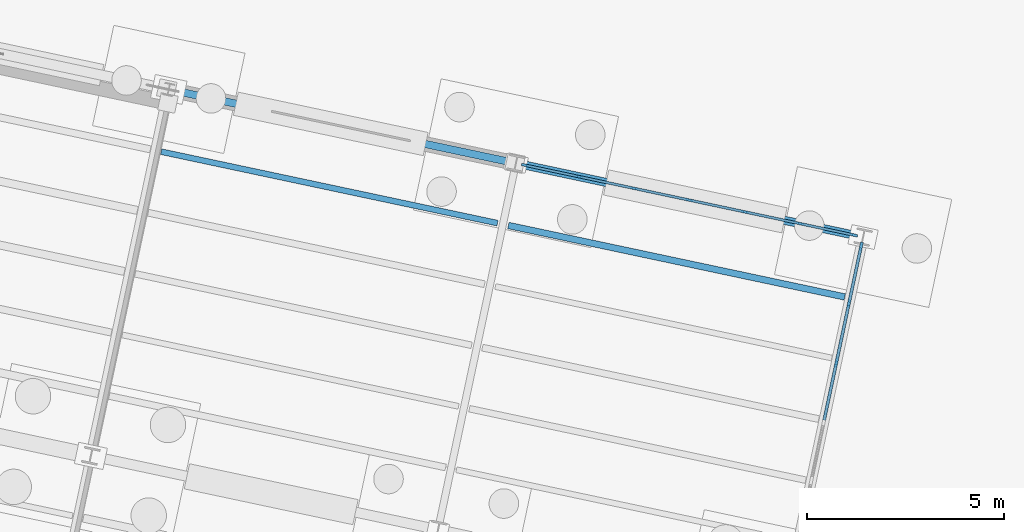
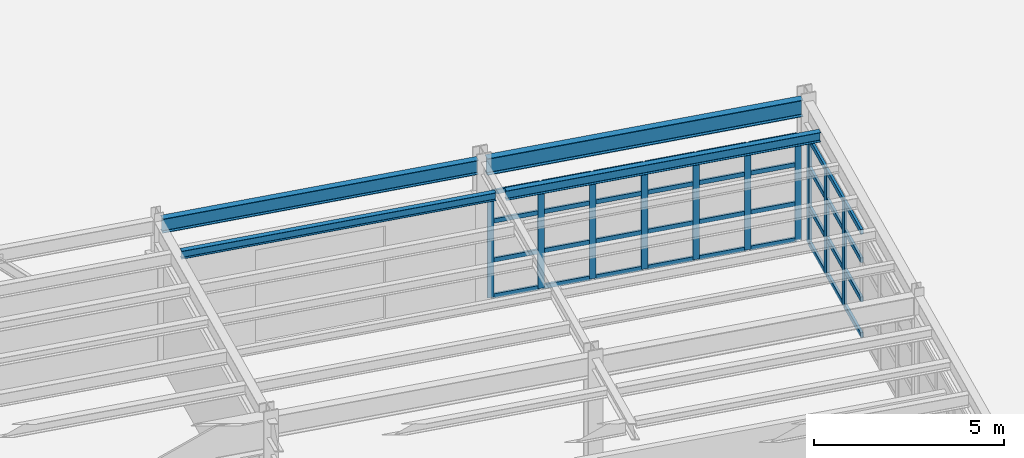
# One storey, part 56 of 108: 46 members, 4 beams, 2 elements without a shape of their own.
"""IFC4 building model written with IfcOpenShell, lengths in metres."""

from ifc_helpers import new_model, si_unit, direction, frame, origin, origin_2d, place, context, subcontext, project, spatial, rectangle, i_section, extrude, material, layer, layer_set, material_profile, profile_set, type_object, element, aggregate, save


model = new_model("IFC4")

# Units and contexts
model_context = context("Model", 3, precision=1e-05, world=origin(), true_north=direction((0.0, 1.0)))
body_context = subcontext(model_context, "Body", "Model", "MODEL_VIEW")
ifc_project = project(units=[si_unit("LENGTHUNIT", "METRE"), si_unit("AREAUNIT", "SQUARE_METRE"), si_unit("VOLUMEUNIT", "CUBIC_METRE"), si_unit("PLANEANGLEUNIT", "RADIAN"), si_unit("MASSUNIT", "GRAM", prefix="KILO")], contexts=[model_context])

# Site, building, storey
site_placement = place(None, origin())
site = spatial("IfcSite", under=ifc_project, at=site_placement, CompositionType="ELEMENT")
building_placement = place(site_placement, origin())
building = spatial("IfcBuilding", under=site, at=building_placement, Name="Vireo Bluff Cable Station", CompositionType="ELEMENT")
storey_placement = place(building_placement, origin())
storey = spatial("IfcBuildingStorey", under=building, at=storey_placement, Name="L00", CompositionType="ELEMENT", Elevation=0.0)

# Curtain wall, members
ifc_material_1 = material(Name="Anodized Aluminium 6063-T6", Category="aluminium")
ifc_layer_1 = layer(ifc_material_1, 0.179931640625, Name="Anodized Aluminium 6063-T6")
ifc_layer_set_1 = layer_set([ifc_layer_1], Name="Anodized Aluminium 6063-T6")
curtain_wall_type_1 = type_object("IfcCurtainWallType", Name="CW-UNIT-1400", PredefinedType="USERDEFINED", material=ifc_layer_set_1)
curtain_wall_1_placement = place(storey_placement, origin())
curtain_wall_1 = element("IfcCurtainWall", 1, at=curtain_wall_1_placement, inside=storey, type_object=curtain_wall_type_1, Name="V5E L00 north curtain wall CW-132", ObjectType="UNITISED CURTAIN WALL", PredefinedType="USERDEFINED")
ifc_material_profile_1 = material_profile(ifc_material_1, rectangle(XDim=0.06494140625, YDim=0.179931640625, at=origin_2d()), Name="ALU-M-65X180")
ifc_profile_set_1 = profile_set([ifc_material_profile_1], Name="Anodized Aluminium 6063-T6")
member_type_1 = type_object("IfcMemberType", Name="CWM-01", PredefinedType="MULLION", material=ifc_profile_set_1)
member_1_placement = place(storey_placement, frame((151.786865234375, 24.79345703125, 0.0), z_axis=(0.0, 0.0, 1.0), x_axis=(0.207911707617, 0.978147597163, 0.0)))
member_1 = element("IfcMember", 2, at=member_1_placement, type_object=member_type_1, Name="CW-132 mullion 1", PredefinedType="MULLION", context=body_context, shape_type="SweptSolid", body=[
    extrude(rectangle(XDim=0.06494140625, YDim=0.179931640625, at=origin_2d()), origin(), (0.0, 0.0, 1.0), 3.39990234375),
])
member_2_placement = place(storey_placement, frame((153.15625, 24.50244140625, 0.0), z_axis=(0.0, 0.0, 1.0), x_axis=(0.207911707617, 0.978147597163, 0.0)))
member_2 = element("IfcMember", 3, at=member_2_placement, type_object=member_type_1, Name="CW-132 mullion 2", PredefinedType="MULLION", context=body_context, shape_type="SweptSolid", body=[
    extrude(rectangle(XDim=0.06494140625, YDim=0.179931640625, at=origin_2d()), origin(), (0.0, 0.0, 1.0), 3.39990234375),
])
member_3_placement = place(storey_placement, frame((154.557373046875, 24.20458984375, 0.0), z_axis=(0.0, 0.0, 1.0), x_axis=(0.207911707617, 0.978147597163, 0.0)))
member_3 = element("IfcMember", 4, at=member_3_placement, type_object=member_type_1, Name="CW-132 mullion 3", PredefinedType="MULLION", context=body_context, shape_type="SweptSolid", body=[
    extrude(rectangle(XDim=0.06494140625, YDim=0.179931640625, at=origin_2d()), origin(), (0.0, 0.0, 1.0), 3.39990234375),
])
member_4_placement = place(storey_placement, frame((155.958740234375, 23.90673828125, 0.0), z_axis=(0.0, 0.0, 1.0), x_axis=(0.207911707617, 0.978147597163, 0.0)))
member_4 = element("IfcMember", 5, at=member_4_placement, type_object=member_type_1, Name="CW-132 mullion 4", PredefinedType="MULLION", context=body_context, shape_type="SweptSolid", body=[
    extrude(rectangle(XDim=0.06494140625, YDim=0.179931640625, at=origin_2d()), origin(), (0.0, 0.0, 1.0), 3.39990234375),
])
member_5_placement = place(storey_placement, frame((157.35986328125, 23.60888671875, 0.0), z_axis=(0.0, 0.0, 1.0), x_axis=(0.207911707617, 0.978147597163, 0.0)))
member_5 = element("IfcMember", 6, at=member_5_placement, type_object=member_type_1, Name="CW-132 mullion 5", PredefinedType="MULLION", context=body_context, shape_type="SweptSolid", body=[
    extrude(rectangle(XDim=0.06494140625, YDim=0.179931640625, at=origin_2d()), origin(), (0.0, 0.0, 1.0), 3.39990234375),
])
member_6_placement = place(storey_placement, frame((158.760986328125, 23.31103515625, 0.0), z_axis=(0.0, 0.0, 1.0), x_axis=(0.207911707617, 0.978147597163, 0.0)))
member_6 = element("IfcMember", 7, at=member_6_placement, type_object=member_type_1, Name="CW-132 mullion 6", PredefinedType="MULLION", context=body_context, shape_type="SweptSolid", body=[
    extrude(rectangle(XDim=0.06494140625, YDim=0.179931640625, at=origin_2d()), origin(), (0.0, 0.0, 1.0), 3.39990234375),
])
member_7_placement = place(storey_placement, frame((160.13037109375, 23.02001953125, 0.0), z_axis=(0.0, 0.0, 1.0), x_axis=(0.207911707617, 0.978147597163, 0.0)))
member_7 = element("IfcMember", 8, at=member_7_placement, type_object=member_type_1, Name="CW-132 mullion 7", PredefinedType="MULLION", context=body_context, shape_type="SweptSolid", body=[
    extrude(rectangle(XDim=0.06494140625, YDim=0.179931640625, at=origin_2d()), origin(), (0.0, 0.0, 1.0), 3.39990234375),
])

ifc_layer_2 = layer(ifc_material_1, 0.179931640625, Name="Anodized Aluminium 6063-T6")
ifc_layer_set_2 = layer_set([ifc_layer_2], Name="Anodized Aluminium 6063-T6")
curtain_wall_type_2 = type_object("IfcCurtainWallType", Name="CW-UNIT-1500", PredefinedType="USERDEFINED", material=ifc_layer_set_2)
curtain_wall_2_placement = place(storey_placement, origin())
curtain_wall_2 = element("IfcCurtainWall", 9, at=curtain_wall_2_placement, inside=storey, type_object=curtain_wall_type_2, Name="V5E L00 east curtain wall CW-133", ObjectType="UNITISED CURTAIN WALL", PredefinedType="USERDEFINED")
ifc_material_profile_2 = material_profile(ifc_material_1, rectangle(XDim=0.074951171875, YDim=0.2099609375, at=origin_2d()), Name="ALU-M-75X210")
ifc_profile_set_2 = profile_set([ifc_material_profile_2], Name="Anodized Aluminium 6063-T6")
member_type_2 = type_object("IfcMemberType", Name="CWM-02", PredefinedType="MULLION", material=ifc_profile_set_2)
member_8_placement = place(storey_placement, frame((160.310546875, 22.7373046875, 0.0), z_axis=(0.0, 0.0, 1.0), x_axis=(0.978147606906, -0.207911661778, 0.0)))
member_8 = element("IfcMember", 10, at=member_8_placement, type_object=member_type_2, Name="CW-133 mullion 1", PredefinedType="MULLION", context=body_context, shape_type="SweptSolid", body=[
    extrude(rectangle(XDim=0.074951171875, YDim=0.2099609375, at=origin_2d()), origin(), (0.0, 0.0, 1.0), 3.39990234375),
])
member_9_placement = place(storey_placement, frame((160.000732421875, 21.279296875, 0.0), z_axis=(0.0, 0.0, 1.0), x_axis=(0.978147606906, -0.207911661778, 0.0)))
member_9 = element("IfcMember", 11, at=member_9_placement, type_object=member_type_2, Name="CW-133 mullion 2", PredefinedType="MULLION", context=body_context, shape_type="SweptSolid", body=[
    extrude(rectangle(XDim=0.074951171875, YDim=0.2099609375, at=origin_2d()), origin(), (0.0, 0.0, 1.0), 3.39990234375),
])
member_10_placement = place(storey_placement, frame((159.68310546875, 19.78466796875, 0.0), z_axis=(0.0, 0.0, 1.0), x_axis=(0.978147606906, -0.207911661778, 0.0)))
member_10 = element("IfcMember", 12, at=member_10_placement, type_object=member_type_2, Name="CW-133 mullion 3", PredefinedType="MULLION", context=body_context, shape_type="SweptSolid", body=[
    extrude(rectangle(XDim=0.074951171875, YDim=0.2099609375, at=origin_2d()), origin(), (0.0, 0.0, 1.0), 3.39990234375),
])

# Member
ifc_material_profile_3 = material_profile(ifc_material_1, rectangle(XDim=0.06494140625, YDim=0.139892578125, at=origin_2d()), Name="ALU-T-65X140")
ifc_profile_set_3 = profile_set([ifc_material_profile_3], Name="Anodized Aluminium 6063-T6")
member_type_3 = type_object("IfcMemberType", Name="CWT-01", PredefinedType="USERDEFINED", material=ifc_profile_set_3)
member_11_placement = place(storey_placement, frame((151.818603515625, 24.786865234375, 0.032470703125), z_axis=(0.978146300899, -0.207917805968, 0.0), x_axis=(0.207917805968, 0.978146300899, 0.0)))
member_11 = element("IfcMember", 13, at=member_11_placement, type_object=member_type_3, Name="CW-132 transom 1.1", ObjectType="TRANSOM", PredefinedType="USERDEFINED", context=body_context, shape_type="SweptSolid", body=[
    extrude(rectangle(XDim=0.06494140625, YDim=0.139892578125, at=origin_2d()), origin(), (0.0, 0.0, 1.0), 1.335205078125),
])

member_12_placement = place(storey_placement, frame((151.818603515625, 24.786865234375, 1.18994140625), z_axis=(0.978146300899, -0.207917805968, 0.0), x_axis=(0.207917805968, 0.978146300899, 0.0)))
member_12 = element("IfcMember", 14, at=member_12_placement, type_object=member_type_3, Name="CW-132 transom 1.2", ObjectType="TRANSOM", PredefinedType="USERDEFINED", context=body_context, shape_type="SweptSolid", body=[
    extrude(rectangle(XDim=0.06494140625, YDim=0.139892578125, at=origin_2d()), origin(), (0.0, 0.0, 1.0), 1.335205078125),
])

member_13_placement = place(storey_placement, frame((151.818603515625, 24.786865234375, 2.447998046875), z_axis=(0.978146300899, -0.207917805968, 0.0), x_axis=(0.207917805968, 0.978146300899, 0.0)))
member_13 = element("IfcMember", 15, at=member_13_placement, type_object=member_type_3, Name="CW-132 transom 1.3", ObjectType="TRANSOM", PredefinedType="USERDEFINED", context=body_context, shape_type="SweptSolid", body=[
    extrude(rectangle(XDim=0.06494140625, YDim=0.139892578125, at=origin_2d()), origin(), (0.0, 0.0, 1.0), 1.335205078125),
])

member_14_placement = place(storey_placement, frame((151.818603515625, 24.786865234375, 3.367431640625), z_axis=(0.978146300899, -0.207917805968, 0.0), x_axis=(0.207917805968, 0.978146300899, 0.0)))
member_14 = element("IfcMember", 16, at=member_14_placement, type_object=member_type_3, Name="CW-132 transom 1.4", ObjectType="TRANSOM", PredefinedType="USERDEFINED", context=body_context, shape_type="SweptSolid", body=[
    extrude(rectangle(XDim=0.06494140625, YDim=0.139892578125, at=origin_2d()), origin(), (0.0, 0.0, 1.0), 1.335205078125),
])

member_15_placement = place(storey_placement, frame((153.18798828125, 24.49560546875, 0.032470703125), z_axis=(0.978169285546, -0.207809645624, 0.0), x_axis=(0.207809645624, 0.978169285546, 0.0)))
member_15 = element("IfcMember", 17, at=member_15_placement, type_object=member_type_3, Name="CW-132 transom 2.1", ObjectType="TRANSOM", PredefinedType="USERDEFINED", context=body_context, shape_type="SweptSolid", body=[
    extrude(rectangle(XDim=0.06494140625, YDim=0.139892578125, at=origin_2d()), origin(), (0.0, 0.0, 1.0), 1.367431640625),
])

member_16_placement = place(storey_placement, frame((153.18798828125, 24.49560546875, 1.18994140625), z_axis=(0.978169285546, -0.207809645624, 0.0), x_axis=(0.207809645624, 0.978169285546, 0.0)))
member_16 = element("IfcMember", 18, at=member_16_placement, type_object=member_type_3, Name="CW-132 transom 2.2", ObjectType="TRANSOM", PredefinedType="USERDEFINED", context=body_context, shape_type="SweptSolid", body=[
    extrude(rectangle(XDim=0.06494140625, YDim=0.139892578125, at=origin_2d()), origin(), (0.0, 0.0, 1.0), 1.367431640625),
])

member_17_placement = place(storey_placement, frame((153.18798828125, 24.49560546875, 2.447998046875), z_axis=(0.978169285546, -0.207809645624, 0.0), x_axis=(0.207809645624, 0.978169285546, 0.0)))
member_17 = element("IfcMember", 19, at=member_17_placement, type_object=member_type_3, Name="CW-132 transom 2.3", ObjectType="TRANSOM", PredefinedType="USERDEFINED", context=body_context, shape_type="SweptSolid", body=[
    extrude(rectangle(XDim=0.06494140625, YDim=0.139892578125, at=origin_2d()), origin(), (0.0, 0.0, 1.0), 1.367431640625),
])

member_18_placement = place(storey_placement, frame((153.18798828125, 24.49560546875, 3.367431640625), z_axis=(0.978169285546, -0.207809645624, 0.0), x_axis=(0.207809645624, 0.978169285546, 0.0)))
member_18 = element("IfcMember", 20, at=member_18_placement, type_object=member_type_3, Name="CW-132 transom 2.4", ObjectType="TRANSOM", PredefinedType="USERDEFINED", context=body_context, shape_type="SweptSolid", body=[
    extrude(rectangle(XDim=0.06494140625, YDim=0.139892578125, at=origin_2d()), origin(), (0.0, 0.0, 1.0), 1.367431640625),
])

member_19_placement = place(storey_placement, frame((154.58935546875, 24.19775390625, 0.032470703125), z_axis=(0.978161573708, -0.207845942277, 0.0), x_axis=(0.207845942277, 0.978161573708, 0.0)))
member_19 = element("IfcMember", 21, at=member_19_placement, type_object=member_type_3, Name="CW-132 transom 3.1", ObjectType="TRANSOM", PredefinedType="USERDEFINED", context=body_context, shape_type="SweptSolid", body=[
    extrude(rectangle(XDim=0.06494140625, YDim=0.139892578125, at=origin_2d()), origin(), (0.0, 0.0, 1.0), 1.3671875),
])

member_20_placement = place(storey_placement, frame((154.58935546875, 24.19775390625, 1.18994140625), z_axis=(0.978161573708, -0.207845942277, 0.0), x_axis=(0.207845942277, 0.978161573708, 0.0)))
member_20 = element("IfcMember", 22, at=member_20_placement, type_object=member_type_3, Name="CW-132 transom 3.2", ObjectType="TRANSOM", PredefinedType="USERDEFINED", context=body_context, shape_type="SweptSolid", body=[
    extrude(rectangle(XDim=0.06494140625, YDim=0.139892578125, at=origin_2d()), origin(), (0.0, 0.0, 1.0), 1.3671875),
])

member_21_placement = place(storey_placement, frame((154.58935546875, 24.19775390625, 2.447998046875), z_axis=(0.978161573708, -0.207845942277, 0.0), x_axis=(0.207845942277, 0.978161573708, 0.0)))
member_21 = element("IfcMember", 23, at=member_21_placement, type_object=member_type_3, Name="CW-132 transom 3.3", ObjectType="TRANSOM", PredefinedType="USERDEFINED", context=body_context, shape_type="SweptSolid", body=[
    extrude(rectangle(XDim=0.06494140625, YDim=0.139892578125, at=origin_2d()), origin(), (0.0, 0.0, 1.0), 1.3671875),
])

member_22_placement = place(storey_placement, frame((154.58935546875, 24.19775390625, 3.367431640625), z_axis=(0.978161573708, -0.207845942277, 0.0), x_axis=(0.207845942277, 0.978161573708, 0.0)))
member_22 = element("IfcMember", 24, at=member_22_placement, type_object=member_type_3, Name="CW-132 transom 3.4", ObjectType="TRANSOM", PredefinedType="USERDEFINED", context=body_context, shape_type="SweptSolid", body=[
    extrude(rectangle(XDim=0.06494140625, YDim=0.139892578125, at=origin_2d()), origin(), (0.0, 0.0, 1.0), 1.3671875),
])

member_23_placement = place(storey_placement, frame((155.990478515625, 23.900146484375, 0.032470703125), z_axis=(0.978132981521, -0.207980456921, 0.0), x_axis=(0.207980456921, 0.978132981521, 0.0)))
member_23 = element("IfcMember", 25, at=member_23_placement, type_object=member_type_3, Name="CW-132 transom 4.1", ObjectType="TRANSOM", PredefinedType="USERDEFINED", context=body_context, shape_type="SweptSolid", body=[
    extrude(rectangle(XDim=0.06494140625, YDim=0.139892578125, at=origin_2d()), origin(), (0.0, 0.0, 1.0), 1.367431640625),
])

member_24_placement = place(storey_placement, frame((155.990478515625, 23.900146484375, 1.18994140625), z_axis=(0.978132981521, -0.207980456921, 0.0), x_axis=(0.207980456921, 0.978132981521, 0.0)))
member_24 = element("IfcMember", 26, at=member_24_placement, type_object=member_type_3, Name="CW-132 transom 4.2", ObjectType="TRANSOM", PredefinedType="USERDEFINED", context=body_context, shape_type="SweptSolid", body=[
    extrude(rectangle(XDim=0.06494140625, YDim=0.139892578125, at=origin_2d()), origin(), (0.0, 0.0, 1.0), 1.367431640625),
])

member_25_placement = place(storey_placement, frame((155.990478515625, 23.900146484375, 2.447998046875), z_axis=(0.978132981521, -0.207980456921, 0.0), x_axis=(0.207980456921, 0.978132981521, 0.0)))
member_25 = element("IfcMember", 27, at=member_25_placement, type_object=member_type_3, Name="CW-132 transom 4.3", ObjectType="TRANSOM", PredefinedType="USERDEFINED", context=body_context, shape_type="SweptSolid", body=[
    extrude(rectangle(XDim=0.06494140625, YDim=0.139892578125, at=origin_2d()), origin(), (0.0, 0.0, 1.0), 1.367431640625),
])

member_26_placement = place(storey_placement, frame((155.990478515625, 23.900146484375, 3.367431640625), z_axis=(0.978132981521, -0.207980456921, 0.0), x_axis=(0.207980456921, 0.978132981521, 0.0)))
member_26 = element("IfcMember", 28, at=member_26_placement, type_object=member_type_3, Name="CW-132 transom 4.4", ObjectType="TRANSOM", PredefinedType="USERDEFINED", context=body_context, shape_type="SweptSolid", body=[
    extrude(rectangle(XDim=0.06494140625, YDim=0.139892578125, at=origin_2d()), origin(), (0.0, 0.0, 1.0), 1.367431640625),
])

member_27_placement = place(storey_placement, frame((157.3916015625, 23.602294921875, 0.032470703125), z_axis=(0.978132981521, -0.207980456921, 0.0), x_axis=(0.207980456921, 0.978132981521, 0.0)))
member_27 = element("IfcMember", 29, at=member_27_placement, type_object=member_type_3, Name="CW-132 transom 5.1", ObjectType="TRANSOM", PredefinedType="USERDEFINED", context=body_context, shape_type="SweptSolid", body=[
    extrude(rectangle(XDim=0.06494140625, YDim=0.139892578125, at=origin_2d()), origin(), (0.0, 0.0, 1.0), 1.367431640625),
])

member_28_placement = place(storey_placement, frame((157.3916015625, 23.602294921875, 1.18994140625), z_axis=(0.978132981521, -0.207980456921, 0.0), x_axis=(0.207980456921, 0.978132981521, 0.0)))
member_28 = element("IfcMember", 30, at=member_28_placement, type_object=member_type_3, Name="CW-132 transom 5.2", ObjectType="TRANSOM", PredefinedType="USERDEFINED", context=body_context, shape_type="SweptSolid", body=[
    extrude(rectangle(XDim=0.06494140625, YDim=0.139892578125, at=origin_2d()), origin(), (0.0, 0.0, 1.0), 1.367431640625),
])

member_29_placement = place(storey_placement, frame((157.3916015625, 23.602294921875, 2.447998046875), z_axis=(0.978132981521, -0.207980456921, 0.0), x_axis=(0.207980456921, 0.978132981521, 0.0)))
member_29 = element("IfcMember", 31, at=member_29_placement, type_object=member_type_3, Name="CW-132 transom 5.3", ObjectType="TRANSOM", PredefinedType="USERDEFINED", context=body_context, shape_type="SweptSolid", body=[
    extrude(rectangle(XDim=0.06494140625, YDim=0.139892578125, at=origin_2d()), origin(), (0.0, 0.0, 1.0), 1.367431640625),
])

member_30_placement = place(storey_placement, frame((157.3916015625, 23.602294921875, 3.367431640625), z_axis=(0.978132981521, -0.207980456921, 0.0), x_axis=(0.207980456921, 0.978132981521, 0.0)))
member_30 = element("IfcMember", 32, at=member_30_placement, type_object=member_type_3, Name="CW-132 transom 5.4", ObjectType="TRANSOM", PredefinedType="USERDEFINED", context=body_context, shape_type="SweptSolid", body=[
    extrude(rectangle(XDim=0.06494140625, YDim=0.139892578125, at=origin_2d()), origin(), (0.0, 0.0, 1.0), 1.367431640625),
])

member_31_placement = place(storey_placement, frame((158.792724609375, 23.304443359375, 0.032470703125), z_axis=(0.978146300899, -0.207917805968, 0.0), x_axis=(0.207917805968, 0.978146300899, 0.0)))
member_31 = element("IfcMember", 33, at=member_31_placement, type_object=member_type_3, Name="CW-132 transom 6.1", ObjectType="TRANSOM", PredefinedType="USERDEFINED", context=body_context, shape_type="SweptSolid", body=[
    extrude(rectangle(XDim=0.06494140625, YDim=0.139892578125, at=origin_2d()), origin(), (0.0, 0.0, 1.0), 1.335205078125),
])

member_32_placement = place(storey_placement, frame((158.792724609375, 23.304443359375, 1.18994140625), z_axis=(0.978146300899, -0.207917805968, 0.0), x_axis=(0.207917805968, 0.978146300899, 0.0)))
member_32 = element("IfcMember", 34, at=member_32_placement, type_object=member_type_3, Name="CW-132 transom 6.2", ObjectType="TRANSOM", PredefinedType="USERDEFINED", context=body_context, shape_type="SweptSolid", body=[
    extrude(rectangle(XDim=0.06494140625, YDim=0.139892578125, at=origin_2d()), origin(), (0.0, 0.0, 1.0), 1.335205078125),
])

member_33_placement = place(storey_placement, frame((158.792724609375, 23.304443359375, 2.447998046875), z_axis=(0.978146300899, -0.207917805968, 0.0), x_axis=(0.207917805968, 0.978146300899, 0.0)))
member_33 = element("IfcMember", 35, at=member_33_placement, type_object=member_type_3, Name="CW-132 transom 6.3", ObjectType="TRANSOM", PredefinedType="USERDEFINED", context=body_context, shape_type="SweptSolid", body=[
    extrude(rectangle(XDim=0.06494140625, YDim=0.139892578125, at=origin_2d()), origin(), (0.0, 0.0, 1.0), 1.335205078125),
])

member_34_placement = place(storey_placement, frame((158.792724609375, 23.304443359375, 3.367431640625), z_axis=(0.978146300899, -0.207917805968, 0.0), x_axis=(0.207917805968, 0.978146300899, 0.0)))
member_34 = element("IfcMember", 36, at=member_34_placement, type_object=member_type_3, Name="CW-132 transom 6.4", ObjectType="TRANSOM", PredefinedType="USERDEFINED", context=body_context, shape_type="SweptSolid", body=[
    extrude(rectangle(XDim=0.06494140625, YDim=0.139892578125, at=origin_2d()), origin(), (0.0, 0.0, 1.0), 1.335205078125),
])

aggregate(curtain_wall_1, [member_1, member_2, member_3, member_4, member_5, member_6, member_7, member_11, member_12, member_13, member_14, member_15, member_16, member_17, member_18, member_19, member_20, member_21, member_22, member_23, member_24, member_25, member_26, member_27, member_28, member_29, member_30, member_31, member_32, member_33, member_34])

ifc_material_profile_4 = material_profile(ifc_material_1, rectangle(XDim=0.074951171875, YDim=0.159912109375, at=origin_2d()), Name="ALU-T-75X160")
ifc_profile_set_4 = profile_set([ifc_material_profile_4], Name="Anodized Aluminium 6063-T6")
member_type_4 = type_object("IfcMemberType", Name="CWT-02", PredefinedType="USERDEFINED", material=ifc_profile_set_4)
member_35_placement = place(storey_placement, frame((160.302734375, 22.70068359375, 0.03759765625), z_axis=(-0.20784431544, -0.978161919387, 0.0), x_axis=(0.978161919387, -0.20784431544, 0.0)))
member_35 = element("IfcMember", 37, at=member_35_placement, type_object=member_type_4, Name="CW-133 transom 1.1", ObjectType="TRANSOM", PredefinedType="USERDEFINED", context=body_context, shape_type="SweptSolid", body=[
    extrude(rectangle(XDim=0.074951171875, YDim=0.159912109375, at=origin_2d()), origin(), (0.0, 0.0, 1.0), 1.41552734375),
])

member_36_placement = place(storey_placement, frame((160.302734375, 22.70068359375, 1.18994140625), z_axis=(-0.20784431544, -0.978161919387, 0.0), x_axis=(0.978161919387, -0.20784431544, 0.0)))
member_36 = element("IfcMember", 38, at=member_36_placement, type_object=member_type_4, Name="CW-133 transom 1.2", ObjectType="TRANSOM", PredefinedType="USERDEFINED", context=body_context, shape_type="SweptSolid", body=[
    extrude(rectangle(XDim=0.074951171875, YDim=0.159912109375, at=origin_2d()), origin(), (0.0, 0.0, 1.0), 1.41552734375),
])

member_37_placement = place(storey_placement, frame((160.302734375, 22.70068359375, 2.447998046875), z_axis=(-0.20784431544, -0.978161919387, 0.0), x_axis=(0.978161919387, -0.20784431544, 0.0)))
member_37 = element("IfcMember", 39, at=member_37_placement, type_object=member_type_4, Name="CW-133 transom 1.3", ObjectType="TRANSOM", PredefinedType="USERDEFINED", context=body_context, shape_type="SweptSolid", body=[
    extrude(rectangle(XDim=0.074951171875, YDim=0.159912109375, at=origin_2d()), origin(), (0.0, 0.0, 1.0), 1.41552734375),
])

member_38_placement = place(storey_placement, frame((160.302734375, 22.70068359375, 3.362548828125), z_axis=(-0.20784431544, -0.978161919387, 0.0), x_axis=(0.978161919387, -0.20784431544, 0.0)))
member_38 = element("IfcMember", 40, at=member_38_placement, type_object=member_type_4, Name="CW-133 transom 1.4", ObjectType="TRANSOM", PredefinedType="USERDEFINED", context=body_context, shape_type="SweptSolid", body=[
    extrude(rectangle(XDim=0.074951171875, YDim=0.159912109375, at=origin_2d()), origin(), (0.0, 0.0, 1.0), 1.41552734375),
])

member_39_placement = place(storey_placement, frame((159.992919921875, 21.24267578125, 0.03759765625), z_axis=(-0.207830623989, -0.978164828509, 0.0), x_axis=(0.978164828509, -0.207830623989, 0.0)))
member_39 = element("IfcMember", 41, at=member_39_placement, type_object=member_type_4, Name="CW-133 transom 2.1", ObjectType="TRANSOM", PredefinedType="USERDEFINED", context=body_context, shape_type="SweptSolid", body=[
    extrude(rectangle(XDim=0.074951171875, YDim=0.159912109375, at=origin_2d()), origin(), (0.0, 0.0, 1.0), 1.453125),
])

member_40_placement = place(storey_placement, frame((159.992919921875, 21.24267578125, 1.18994140625), z_axis=(-0.207830623989, -0.978164828509, 0.0), x_axis=(0.978164828509, -0.207830623989, 0.0)))
member_40 = element("IfcMember", 42, at=member_40_placement, type_object=member_type_4, Name="CW-133 transom 2.2", ObjectType="TRANSOM", PredefinedType="USERDEFINED", context=body_context, shape_type="SweptSolid", body=[
    extrude(rectangle(XDim=0.074951171875, YDim=0.159912109375, at=origin_2d()), origin(), (0.0, 0.0, 1.0), 1.453125),
])

member_41_placement = place(storey_placement, frame((159.992919921875, 21.24267578125, 2.447998046875), z_axis=(-0.207830623989, -0.978164828509, 0.0), x_axis=(0.978164828509, -0.207830623989, 0.0)))
member_41 = element("IfcMember", 43, at=member_41_placement, type_object=member_type_4, Name="CW-133 transom 2.3", ObjectType="TRANSOM", PredefinedType="USERDEFINED", context=body_context, shape_type="SweptSolid", body=[
    extrude(rectangle(XDim=0.074951171875, YDim=0.159912109375, at=origin_2d()), origin(), (0.0, 0.0, 1.0), 1.453125),
])

member_42_placement = place(storey_placement, frame((159.992919921875, 21.24267578125, 3.362548828125), z_axis=(-0.207830623989, -0.978164828509, 0.0), x_axis=(0.978164828509, -0.207830623989, 0.0)))
member_42 = element("IfcMember", 44, at=member_42_placement, type_object=member_type_4, Name="CW-133 transom 2.4", ObjectType="TRANSOM", PredefinedType="USERDEFINED", context=body_context, shape_type="SweptSolid", body=[
    extrude(rectangle(XDim=0.074951171875, YDim=0.159912109375, at=origin_2d()), origin(), (0.0, 0.0, 1.0), 1.453125),
])

member_43_placement = place(storey_placement, frame((159.67529296875, 19.748046875, 0.03759765625), z_axis=(-0.20799137036, -0.978130660932, 0.0), x_axis=(0.978130660932, -0.20799137036, 0.0)))
member_43 = element("IfcMember", 45, at=member_43_placement, type_object=member_type_4, Name="CW-133 transom 3.1", ObjectType="TRANSOM", PredefinedType="USERDEFINED", context=body_context, shape_type="SweptSolid", body=[
    extrude(rectangle(XDim=0.074951171875, YDim=0.159912109375, at=origin_2d()), origin(), (0.0, 0.0, 1.0), 1.453125),
])

member_44_placement = place(storey_placement, frame((159.67529296875, 19.748046875, 1.18994140625), z_axis=(-0.20799137036, -0.978130660932, 0.0), x_axis=(0.978130660932, -0.20799137036, 0.0)))
member_44 = element("IfcMember", 46, at=member_44_placement, type_object=member_type_4, Name="CW-133 transom 3.2", ObjectType="TRANSOM", PredefinedType="USERDEFINED", context=body_context, shape_type="SweptSolid", body=[
    extrude(rectangle(XDim=0.074951171875, YDim=0.159912109375, at=origin_2d()), origin(), (0.0, 0.0, 1.0), 1.453125),
])

member_45_placement = place(storey_placement, frame((159.67529296875, 19.748046875, 2.447998046875), z_axis=(-0.20799137036, -0.978130660932, 0.0), x_axis=(0.978130660932, -0.20799137036, 0.0)))
member_45 = element("IfcMember", 47, at=member_45_placement, type_object=member_type_4, Name="CW-133 transom 3.3", ObjectType="TRANSOM", PredefinedType="USERDEFINED", context=body_context, shape_type="SweptSolid", body=[
    extrude(rectangle(XDim=0.074951171875, YDim=0.159912109375, at=origin_2d()), origin(), (0.0, 0.0, 1.0), 1.453125),
])

member_46_placement = place(storey_placement, frame((159.67529296875, 19.748046875, 3.362548828125), z_axis=(-0.20799137036, -0.978130660932, 0.0), x_axis=(0.978130660932, -0.20799137036, 0.0)))
member_46 = element("IfcMember", 48, at=member_46_placement, type_object=member_type_4, Name="CW-133 transom 3.4", ObjectType="TRANSOM", PredefinedType="USERDEFINED", context=body_context, shape_type="SweptSolid", body=[
    extrude(rectangle(XDim=0.074951171875, YDim=0.159912109375, at=origin_2d()), origin(), (0.0, 0.0, 1.0), 1.453125),
])

aggregate(curtain_wall_2, [member_8, member_9, member_10, member_35, member_36, member_37, member_38, member_39, member_40, member_41, member_42, member_43, member_44, member_45, member_46])

# Beams
ifc_material_2 = material(Name="Steel ASTM A992 Gr. 50", Category="steel")
ifc_material_profile_5 = material_profile(ifc_material_2, i_section(OverallWidth=0.14599609375, OverallDepth=0.259033203125, WebThickness=0.006103515625, FlangeThickness=0.009033203125, FilletRadius=0.009033203125, at=origin_2d()), Name="W10X22")
ifc_profile_set_5 = profile_set([ifc_material_profile_5], Name="Steel ASTM A992 Gr. 50")
beam_type_1 = type_object("IfcBeamType", Name="JST-W10X22", PredefinedType="JOIST", material=ifc_profile_set_5)
beam_1_placement = place(storey_placement, frame((142.561279296875, 25.1357421875, 4.410400390625), z_axis=(0.978148105174, -0.207909317601, 0.0), x_axis=(0.207909317601, 0.978148105174, 0.0)))
element("IfcBeam", 49, at=beam_1_placement, inside=storey, type_object=beam_type_1, Name="V5E L00 composite joist 1309", PredefinedType="JOIST", context=body_context, shape_type="SweptSolid", body=[
    extrude(i_section(OverallWidth=0.14599609375, OverallDepth=0.259033203125, WebThickness=0.006103515625, FlangeThickness=0.009033203125, FilletRadius=0.009033203125, at=origin_2d()), origin(), (0.0, 0.0, 1.0), 8.719970703125),
])
ifc_material_profile_6 = material_profile(ifc_material_2, i_section(OverallWidth=0.1650390625, OverallDepth=0.31005859375, WebThickness=0.005859375, FlangeThickness=0.009765625, FilletRadius=0.010009765625, at=origin_2d()), Name="W12X26")
ifc_profile_set_6 = profile_set([ifc_material_profile_6], Name="Steel ASTM A992 Gr. 50")
beam_type_2 = type_object("IfcBeamType", Name="JST-W12X26", PredefinedType="JOIST", material=ifc_profile_set_6)
beam_2_placement = place(storey_placement, frame((151.36474609375, 23.2646484375, 4.385009765625), z_axis=(0.978148105174, -0.207909317601, 0.0), x_axis=(0.207909317601, 0.978148105174, 0.0)))
element("IfcBeam", 50, at=beam_2_placement, inside=storey, type_object=beam_type_2, Name="V5E L00 composite joist 1317", PredefinedType="JOIST", context=body_context, shape_type="SweptSolid", body=[
    extrude(i_section(OverallWidth=0.1650390625, OverallDepth=0.31005859375, WebThickness=0.005859375, FlangeThickness=0.009765625, FilletRadius=0.010009765625, at=origin_2d()), origin(), (0.0, 0.0, 1.0), 8.719970703125),
])
ifc_material_profile_7 = material_profile(ifc_material_2, i_section(OverallWidth=0.19091796875, OverallDepth=0.45703125, WebThickness=0.009033203125, FlangeThickness=0.014404296875, FilletRadius=0.011962890625, at=origin_2d()), Name="W18X50")
ifc_profile_set_7 = profile_set([ifc_material_profile_7], Name="Steel ASTM A992 Gr. 50")
beam_type_3 = type_object("IfcBeamType", Name="SPN-W18X50", PredefinedType="SPANDREL", material=ifc_profile_set_7)
beam_3_placement = place(storey_placement, frame((142.87109375, 26.688720703125, 4.3115234375), z_axis=(0.978148154167, -0.207909087104, 0.0), x_axis=(0.207909087104, 0.978148154167, 0.0)))
element("IfcBeam", 51, at=beam_3_placement, inside=storey, type_object=beam_type_3, Name="V5E L00 spandrel 1292", PredefinedType="SPANDREL", context=body_context, shape_type="SweptSolid", body=[
    extrude(i_section(OverallWidth=0.19091796875, OverallDepth=0.45703125, WebThickness=0.009033203125, FlangeThickness=0.014404296875, FilletRadius=0.011962890625, at=origin_2d()), origin(), (0.0, 0.0, 1.0), 8.760009765625),
])
ifc_material_profile_8 = material_profile(ifc_material_2, i_section(OverallWidth=0.2099609375, OverallDepth=0.535888671875, WebThickness=0.010986328125, FlangeThickness=0.017333984375, FilletRadius=0.012939453125, at=origin_2d()), Name="W21X68")
ifc_profile_set_8 = profile_set([ifc_material_profile_8], Name="Steel ASTM A992 Gr. 50")
beam_type_4 = type_object("IfcBeamType", Name="SPN-W21X68", PredefinedType="SPANDREL", material=ifc_profile_set_8)
beam_4_placement = place(storey_placement, frame((151.67431640625, 24.8173828125, 4.27197265625), z_axis=(0.978148154167, -0.207909087104, 0.0), x_axis=(0.207909087104, 0.978148154167, 0.0)))
element("IfcBeam", 52, at=beam_4_placement, inside=storey, type_object=beam_type_4, Name="V5E L00 spandrel 1293", PredefinedType="SPANDREL", context=body_context, shape_type="SweptSolid", body=[
    extrude(i_section(OverallWidth=0.2099609375, OverallDepth=0.535888671875, WebThickness=0.010986328125, FlangeThickness=0.017333984375, FilletRadius=0.012939453125, at=origin_2d()), origin(), (0.0, 0.0, 1.0), 8.760009765625),
])

save(model, "model.ifc")
